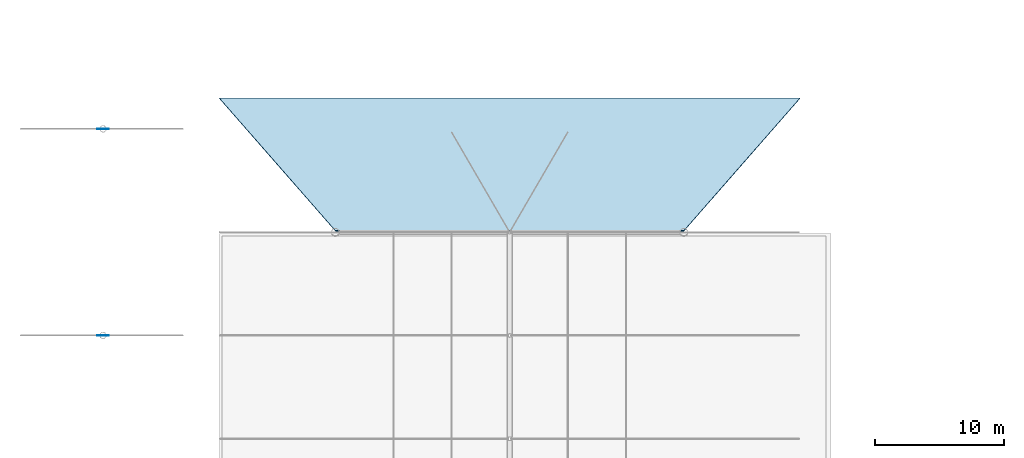
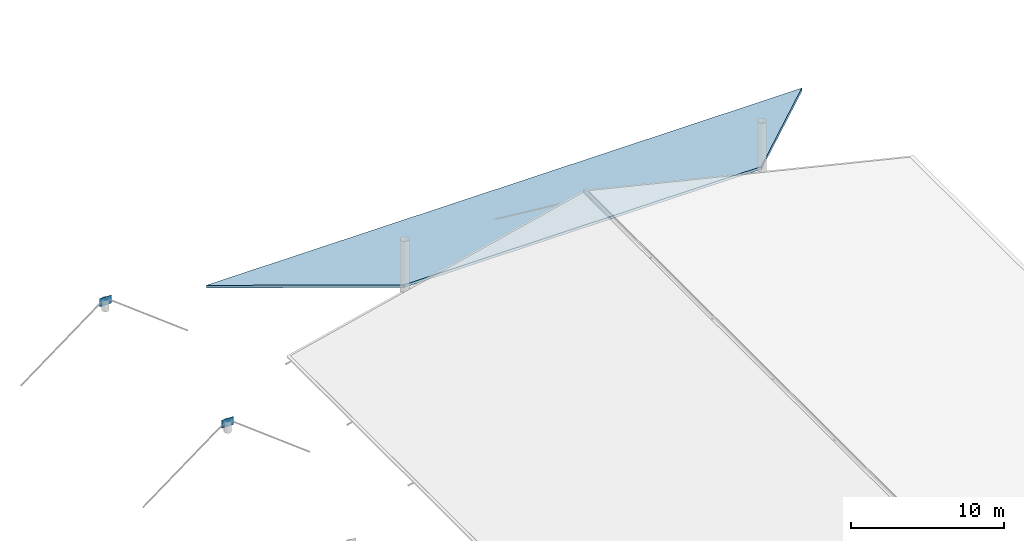
# One storey, part 55 of 71: 2 plates, 1 slab, 1 element without a shape of its own.
"""IFC4 building model written with IfcOpenShell, lengths in metres."""

from ifc_helpers import new_model, si_unit, derived_unit, direction, frame, origin, origin_2d, place, context, subcontext, project, spatial, polyline, rectangle, outline, extrude, material, layer, layer_set, type_object, element, aggregate, save


model = new_model("IFC4")

# Units and contexts
model_context = context("Model", 3, precision=1e-05, world=origin(), true_north=direction((0.0, 1.0)))
body_context = subcontext(model_context, "Body", "Model", "MODEL_VIEW")
ifc_project = project(units=[si_unit("LENGTHUNIT", "METRE"), si_unit("AREAUNIT", "SQUARE_METRE"), si_unit("VOLUMEUNIT", "CUBIC_METRE"), si_unit("PLANEANGLEUNIT", "RADIAN"), si_unit("MASSUNIT", "GRAM", prefix="KILO"), derived_unit("THERMALTRANSMITTANCEUNIT", [(si_unit("MASSUNIT", "GRAM", prefix="KILO"), 1), (si_unit("TIMEUNIT", "SECOND"), -3), (si_unit("THERMODYNAMICTEMPERATUREUNIT", "KELVIN"), -1)])], contexts=[model_context])

# Site, building, storey
site_placement = place(None, origin())
site = spatial("IfcSite", under=ifc_project, at=site_placement, CompositionType="ELEMENT")
building_placement = place(site_placement, origin())
building = spatial("IfcBuilding", under=site, at=building_placement, Name="Zhenchuan Archway Interchange", CompositionType="ELEMENT")
storey_placement = place(building_placement, frame((0.0, 0.0, 18.60009765625)))
storey = spatial("IfcBuildingStorey", under=building, at=storey_placement, Name="L04", CompositionType="ELEMENT", Elevation=18.60009765625)

# Plates
ifc_material_1 = material(Name="Steel Q355", Category="steel")
ifc_layer_1 = layer(ifc_material_1, 0.028076171875)
ifc_layer_set_1 = layer_set([ifc_layer_1], Name="Steel Q355")
plate_type = type_object("IfcPlateType", Name="PLT_GUSSET_1", PredefinedType="SHEET", material=ifc_layer_set_1)
for number, where, z_axis, x_axis, name in (
    (1, (18.0, 72.0, 0.375), (0.0, 0.0, 1.0), (1.0, 0.0, 0.0), "Bus canopy mast cable gusset plate BM4"),
    (2, (18.0, 88.0, 0.375), (0.0, 0.0, 1.0), (1.0, 0.0, 0.0), "Bus canopy mast cable gusset plate BM5"),
):
    element("IfcPlate", number, at=place(storey_placement, frame(where, z_axis=z_axis, x_axis=x_axis)), inside=storey, type_object=plate_type, Name=name, PredefinedType="SHEET", context=body_context, shape_type="SweptSolid", body=[
        extrude(rectangle(XDim=0.89990234375, YDim=0.028076171875, at=origin_2d()), origin(), (0.0, 0.0, 1.0), 0.64990234375),
    ])

# Roof, slab
ifc_material_2 = material(Name="Steel Q390", Category="steel")
roof_type = type_object("IfcRoofType", Name="ROOF_TENSILE_CABLE", PredefinedType="FREEFORM", material=ifc_material_2)
roof_placement = place(storey_placement, origin())
roof = element("IfcRoof", 3, at=roof_placement, inside=storey, type_object=roof_type, Name="Concourse cable-net tensile roof north hip", PredefinedType="FREEFORM")
ifc_material_3 = material(Name="Concrete C35", Category="concrete")
ifc_layer_2 = layer(ifc_material_3, 0.179931640625)
ifc_layer_set_2 = layer_set([ifc_layer_2], Name="Concrete C35")
slab_type = type_object("IfcSlabType", Name="SLB_TENSILE_180", PredefinedType="ROOF", material=ifc_layer_set_2)
slab_placement = place(storey_placement, frame((36.0, 80.1201171875, 0.449951171875), z_axis=(0.0, 0.289582762312, 0.957152978249), x_axis=(1.0, 0.0, 0.0)))
slab = element("IfcSlab", 4, at=slab_placement, type_object=slab_type, Name="Concourse tensile roof north storm eave hip", PredefinedType="ROOF", context=body_context, shape_type="SweptSolid", body=[
    extrude(outline(polyline([(0.0, 0.0), (27.0, 0.0), (36.0, 10.739960476382574), (-9.0, 10.739960476382574), (0.0, 0.0)])), origin(), (0.0, 0.0, -1.0), 0.179931640625),
])
aggregate(roof, [slab])

save(model, "model.ifc")
